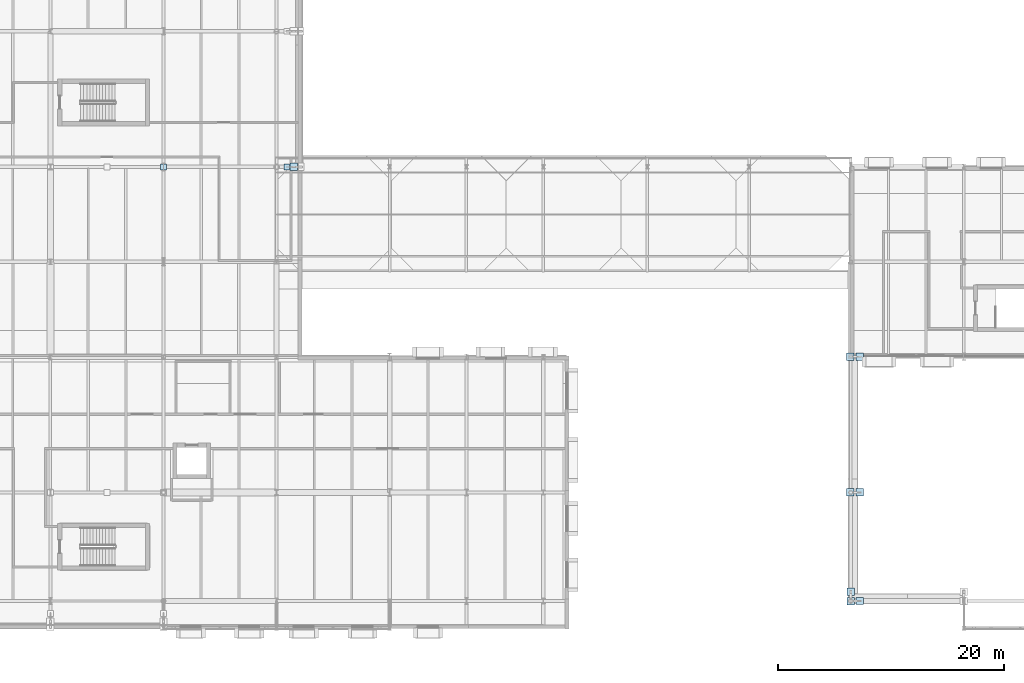
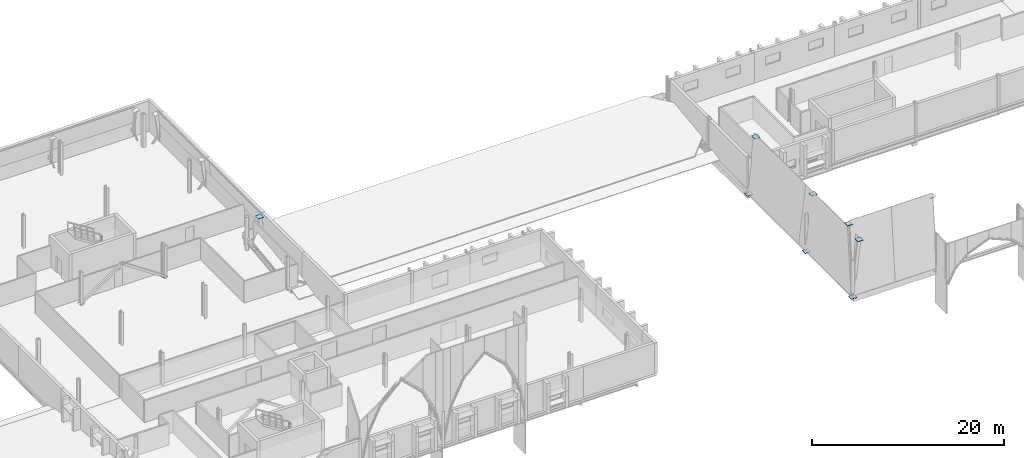
# One storey, part 57 of 90: 10 plates.
"""IFC4 building model written with IfcOpenShell, lengths in metres."""

from ifc_helpers import new_model, si_unit, direction, frame, origin, origin_2d, place, context, subcontext, project, spatial, rectangle, extrude, material, layer, layer_set, type_object, element, save


model = new_model("IFC4")

# Units and contexts
model_context = context("Model", 3, precision=1e-05, world=origin(), true_north=direction((0.0, 1.0)))
body_context = subcontext(model_context, "Body", "Model", "MODEL_VIEW")
ifc_project = project(units=[si_unit("LENGTHUNIT", "METRE"), si_unit("AREAUNIT", "SQUARE_METRE"), si_unit("VOLUMEUNIT", "CUBIC_METRE"), si_unit("PLANEANGLEUNIT", "RADIAN"), si_unit("MASSUNIT", "GRAM", prefix="KILO")], contexts=[model_context])

# Site, building, storey
site_placement = place(None, origin())
site = spatial("IfcSite", under=ifc_project, at=site_placement, CompositionType="ELEMENT")
building_placement = place(site_placement, origin())
building = spatial("IfcBuilding", under=site, at=building_placement, Name="Zereglee Splitstone Museum", CompositionType="ELEMENT")
storey_placement = place(building_placement, frame((0.0, 0.0, 4.800048828125)))
storey = spatial("IfcBuildingStorey", under=building, at=storey_placement, Name="L01", CompositionType="ELEMENT", Elevation=4.800048828125)

# Plates
ifc_material = material(Name="Steel S355J2", Category="steel")
ifc_layer_1 = layer(ifc_material, 0.030029296875)
ifc_layer_set_1 = layer_set([ifc_layer_1], Name="Steel S355J2")
plate_type_1 = type_object("IfcPlateType", Name="NP-04", PredefinedType="SHEET", material=ifc_layer_set_1)
for number, where, z_axis, x_axis, name in (
    (1, (195.199951171875, 38.39990234375, 0.10498046875), (0.0, 0.0, 1.0), (1.0, 0.0, 0.0), "CBF Brace Gusset Cap L01-020"),
    (2, (206.10009765625, 38.39990234375, -0.27490234375), (0.0, 0.0, 1.0), (1.0, 0.0, 0.0), "Facet Tie Seal Plate FH-V4E"),
):
    element("IfcPlate", number, at=place(storey_placement, frame(where, z_axis=z_axis, x_axis=x_axis)), inside=storey, type_object=plate_type_1, Name=name, PredefinedType="SHEET", context=body_context, shape_type="SweptSolid", body=[
        extrude(rectangle(XDim=0.52001953125, YDim=0.52001953125, at=origin_2d()), origin(), (0.0, 0.0, 1.0), 0.030029296875),
    ])
ifc_layer_2 = layer(ifc_material, 0.050048828125)
ifc_layer_set_2 = layer_set([ifc_layer_2], Name="Steel S355J2")
plate_type_2 = type_object("IfcPlateType", Name="NP-02", PredefinedType="SHEET", material=ifc_layer_set_2)
for number, where, z_axis, x_axis, name in (
    (3, (206.71337890625, 38.39990234375, 3.60498046875), (0.0, 0.0, 1.0), (1.0, 0.0, 0.0), "Facet Strut Seal Plate FH-V4E"),
    (4, (256.0, -0.0283203125, -0.5751953125), (0.0, 0.0, 1.0), (1.0, 0.0, 0.0), "Facet Strut Seal Plate FH-V5S"),
    (5, (256.0, 0.80126953125, 8.2548828125), (0.0, 0.0, 1.0), (1.0, 0.0, 0.0), "Facet Strut Seal Plate FH-V5S"),
    (6, (256.7890625, 0.0, 6.455078125), (0.0, 0.0, 1.0), (1.0, 0.0, 0.0), "Facet Strut Seal Plate FH-V5W"),
    (7, (255.96484375, 9.60009765625, -0.5751953125), (0.0, 0.0, 1.0), (1.0, 0.0, 0.0), "Facet Strut Seal Plate FH-V5W"),
    (8, (256.7890625, 9.60009765625, 6.455078125), (0.0, 0.0, 1.0), (1.0, 0.0, 0.0), "Facet Strut Seal Plate FH-V5W"),
    (9, (255.96484375, 21.60009765625, -0.5751953125), (0.0, 0.0, 1.0), (1.0, 0.0, 0.0), "Facet Strut Seal Plate FH-V5W"),
    (10, (256.7890625, 21.60009765625, 6.455078125), (0.0, 0.0, 1.0), (1.0, 0.0, 0.0), "Facet Strut Seal Plate FH-V5W"),
):
    element("IfcPlate", number, at=place(storey_placement, frame(where, z_axis=z_axis, x_axis=x_axis)), inside=storey, type_object=plate_type_2, Name=name, PredefinedType="SHEET", context=body_context, shape_type="SweptSolid", body=[
        extrude(rectangle(XDim=0.659912109375, YDim=0.659912109375, at=origin_2d()), origin(), (0.0, 0.0, 1.0), 0.050048828125),
    ])

save(model, "model.ifc")
